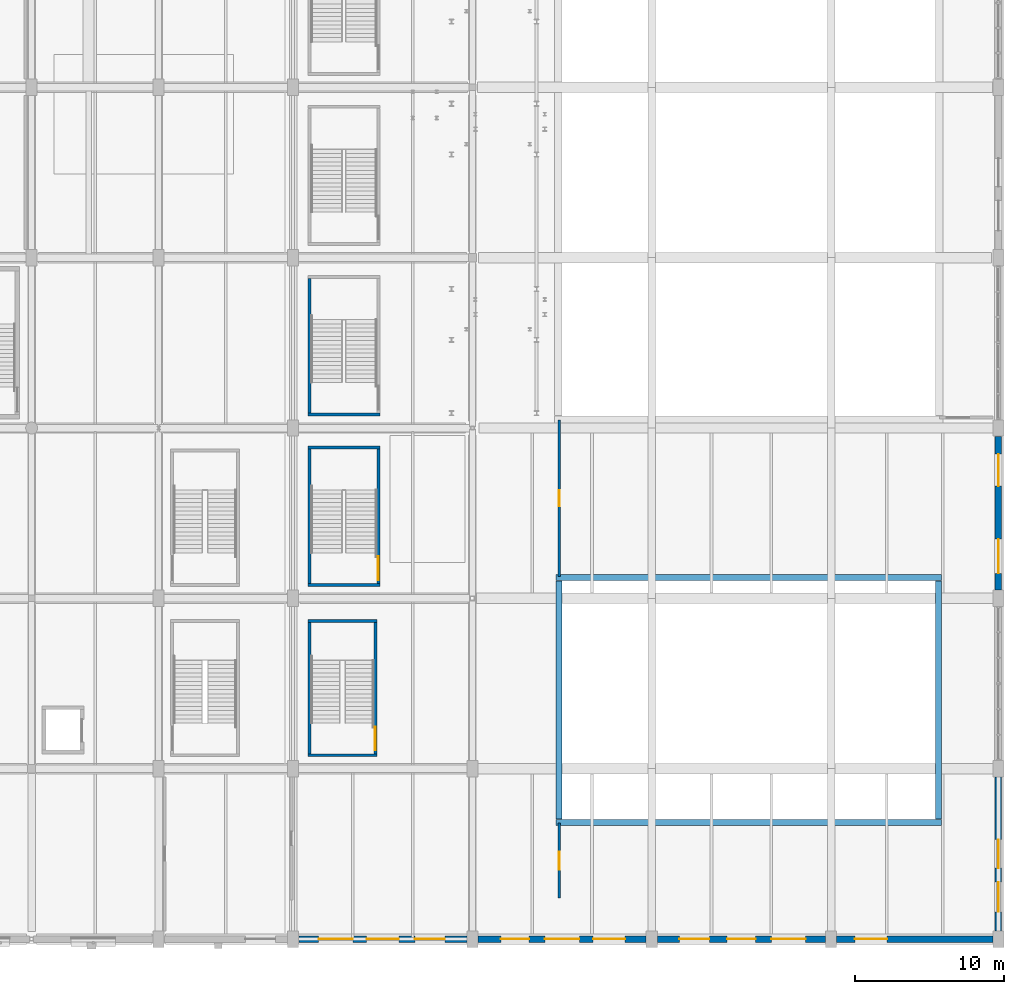
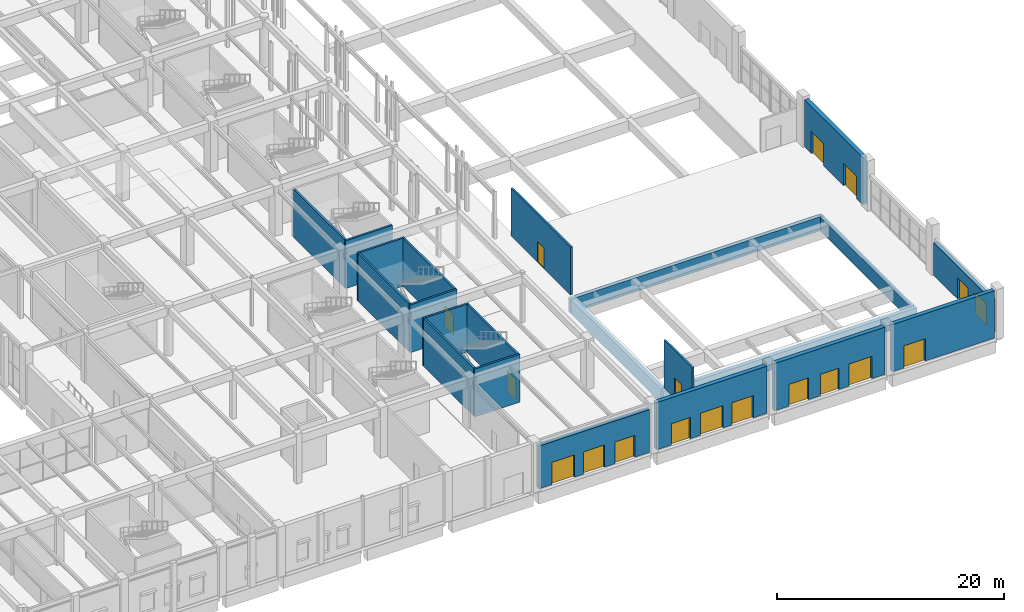
# One storey, part 91 of 113: 22 walls, 18 doors, 18 openings.
"""IFC4 building model written with IfcOpenShell, lengths in metres."""

import ifcopenshell
import ifcopenshell.guid

model = None  # the IFC model being written
_history = None  # IfcOwnerHistory: only IFC2X3 demands one
_inside = {}  # id of a spatial element -> (the spatial element, [elements in it])
_under = {}  # id of a project, library or spatial element -> (it, [spatial elements below it])
_declared = {}  # id of a project -> (the project, [libraries it declares])
_typed = {}  # id of a type object -> (the type object, [elements of that type])
_made_of = {}  # id of a material, layer set ... -> (it, [elements and type objects made of it])


def new_model(schema):
    """Start an empty IFC model of exactly this schema.

    Asked for "IFC4X3", IfcOpenShell would pick the latest addendum, in which some entities
    have other attributes; the version numbers below select the first issue.
    IFC2X3 requires an IfcOwnerHistory on every rooted entity: one is made here for all.
    """
    global model, _history
    if schema == "IFC4X3":
        model = ifcopenshell.file(schema_version=(4, 3, 0, 0))
    else:
        model = ifcopenshell.file(schema=schema)
    _inside.clear()
    _under.clear()
    _declared.clear()
    _typed.clear()
    _made_of.clear()
    _history = None
    if model.schema == "IFC2X3":
        org = make("IfcOrganization", Name="unknown")
        user = make(
            "IfcPersonAndOrganization",
            ThePerson=make("IfcPerson", FamilyName="unknown"),
            TheOrganization=org,
        )
        app = make(
            "IfcApplication",
            ApplicationDeveloper=org,
            Version="unknown",
            ApplicationFullName="unknown",
            ApplicationIdentifier="unknown",
        )
        _history = make(
            "IfcOwnerHistory",
            OwningUser=user,
            OwningApplication=app,
            ChangeAction="ADDED",
            CreationDate=0,
        )
    return model


def make(cls, **values):
    """One entity of the class cls with the attributes given. An attribute that is None is left unset."""
    return model.create_entity(
        cls, **{name: value for name, value in values.items() if value is not None}
    )


def rooted(cls, **values):
    """An entity with a GlobalId (a new one), such as an element, a storey or a relation."""
    return make(cls, GlobalId=ifcopenshell.guid.new(), OwnerHistory=_history, **values)


def si_unit(unit_type, name, prefix=None):
    """IfcSIUnit, for example si_unit("LENGTHUNIT", "METRE", prefix="MILLI")."""
    return make("IfcSIUnit", UnitType=unit_type, Prefix=prefix, Name=name)


def assignment(units):
    """IfcUnitAssignment: the units of a project."""
    return None if units is None else make("IfcUnitAssignment", Units=units)


def point(xyz):
    """IfcCartesianPoint."""
    return None if xyz is None else make("IfcCartesianPoint", Coordinates=xyz)


def direction(xyz):
    """IfcDirection."""
    return None if xyz is None else make("IfcDirection", DirectionRatios=xyz)


def frame(location, z_axis=None, x_axis=None):
    """IfcAxis2Placement3D, a coordinate frame: its origin and axes. An axis left out is left unset."""
    return make(
        "IfcAxis2Placement3D",
        Location=point(location),
        Axis=direction(z_axis),
        RefDirection=direction(x_axis),
    )


def frame_2d(location, x_axis=None):
    """IfcAxis2Placement2D, a coordinate frame in the plane: its origin and x axis."""
    return make(
        "IfcAxis2Placement2D", Location=point(location), RefDirection=direction(x_axis)
    )


def origin():
    """The frame at (0, 0, 0) with its axes left unset."""
    return frame((0.0, 0.0, 0.0))


def place(relative_to, where):
    """IfcLocalPlacement: puts the frame where relative to a parent placement (None: the world)."""
    return make(
        "IfcLocalPlacement", PlacementRelTo=relative_to, RelativePlacement=where
    )


def context(
    kind, dimensions, precision=None, world=None, true_north=None, identifier=None
):
    """IfcGeometricRepresentationContext, for example the 3D "Model" context."""
    return make(
        "IfcGeometricRepresentationContext",
        ContextIdentifier=identifier,
        ContextType=kind,
        CoordinateSpaceDimension=dimensions,
        Precision=precision,
        WorldCoordinateSystem=world,
        TrueNorth=true_north,
    )


def subcontext(parent, identifier, kind, view, scale=None):
    """IfcGeometricRepresentationSubContext, for example "Body" below "Model"."""
    return make(
        "IfcGeometricRepresentationSubContext",
        ContextIdentifier=identifier,
        ContextType=kind,
        ParentContext=parent,
        TargetScale=scale,
        TargetView=view,
    )


def project(units=None, contexts=None):
    """IfcProject with its units and contexts."""
    return rooted(
        "IfcProject",
        Name="project",
        RepresentationContexts=contexts,
        UnitsInContext=assignment(units),
    )


def spatial(cls, under=None, at=None, **own):
    """A site, building, storey or space (cls), placed at a placement, below another one or the project."""
    s = rooted(cls, ObjectPlacement=at, **own)
    if under is not None:
        _under.setdefault(under.id(), (under, []))[1].append(s)
    return s


def profile(cls, at=None, kind="AREA", **sizes):
    """A parametric profile (cls). Its sizes go by their IFC names, for example OverallWidth=200.0."""
    return make(cls, ProfileType=kind, Position=at, **sizes)


def rectangle(**sizes):
    """IfcRectangleProfileDef."""
    return profile("IfcRectangleProfileDef", **sizes)


def extrude(swept, where, along, depth):
    """IfcExtrudedAreaSolid: the profile swept, set in the frame where, extruded along a direction by depth."""
    return make(
        "IfcExtrudedAreaSolid",
        SweptArea=swept,
        Position=where,
        ExtrudedDirection=direction(along),
        Depth=depth,
    )


def shape(context_of_items, identifier, shape_type, items):
    """IfcShapeRepresentation: the items that make up one representation, for example the "Body"."""
    return make(
        "IfcShapeRepresentation",
        ContextOfItems=context_of_items,
        RepresentationIdentifier=identifier,
        RepresentationType=shape_type,
        Items=items,
    )


def material(Name=None, Category=None):
    """IfcMaterial."""
    return make("IfcMaterial", Name=Name, Category=Category)


def layer(
    of_material, thickness, ventilated=None, Name=None, Category=None, Priority=None
):
    """IfcMaterialLayer: one layer of a wall or slab, of a material (None: an air gap)."""
    return make(
        "IfcMaterialLayer",
        Material=of_material,
        LayerThickness=thickness,
        IsVentilated=ventilated,
        Name=Name,
        Category=Category,
        Priority=Priority,
    )


def layer_set(layers, Name=None):
    """IfcMaterialLayerSet."""
    return make("IfcMaterialLayerSet", MaterialLayers=layers, LayerSetName=Name)


def made_of(thing, what):
    """Note that an element or type object is made of a material, layer set ...; save() writes the relation."""
    if what is not None:
        _made_of.setdefault(what.id(), (what, []))[1].append(thing)
    return thing


def type_object(cls, material=None, **own):
    """A type object (cls), such as IfcWallType, which elements share."""
    return made_of(rooted(cls, **own), material)


def element(
    cls,
    number,
    at=None,
    inside=None,
    cuts=None,
    type_object=None,
    material=None,
    context=None,
    identifier="Body",
    shape_type=None,
    held_by="IfcProductDefinitionShape",
    body=None,
    shapes=None,
    **own,
):
    """One element of the class cls, such as IfcWall. Its Tag is "e" and its number.

    at: its placement. inside: the storey or other place that contains it. cuts: it is an
    opening in that element (IfcRelVoidsElement). A single representation is given by context,
    identifier, shape_type and body (its items); several are given by shapes. held_by: the class
    of the entity that holds the representations. save() writes the other relations.
    """
    e = rooted(cls, Tag="e%d" % number, ObjectPlacement=at, **own)
    if body is not None:
        shapes = [shape(context, identifier, shape_type, body)]
    if shapes is not None:
        e.Representation = make(held_by, Representations=shapes)
    if inside is not None:
        _inside.setdefault(inside.id(), (inside, []))[1].append(e)
    if cuts is not None:
        rooted(
            "IfcRelVoidsElement", RelatingBuildingElement=cuts, RelatedOpeningElement=e
        )
    if type_object is not None:
        _typed.setdefault(type_object.id(), (type_object, []))[1].append(e)
    return made_of(e, material)


def fill(opening, filler):
    """IfcRelFillsElement: the door or window that sits in an opening."""
    return rooted(
        "IfcRelFillsElement",
        RelatingOpeningElement=opening,
        RelatedBuildingElement=filler,
    )


def aggregate(whole, parts):
    """IfcRelAggregates: a whole, such as a stair, and the parts it consists of."""
    return rooted("IfcRelAggregates", RelatingObject=whole, RelatedObjects=parts)


def save(model, path):
    """Write the relations noted so far, then the file.

    IfcRelAggregates (storeys below a building ...), IfcRelContainedInSpatialStructure (elements
    in a storey), IfcRelDefinesByType, IfcRelAssociatesMaterial and IfcRelDeclares: one each for
    every whole, place, type object, material and project.
    """
    for whole, parts in _under.values():
        aggregate(whole, parts)
    for where, things in _inside.values():
        rooted(
            "IfcRelContainedInSpatialStructure",
            RelatedElements=things,
            RelatingStructure=where,
        )
    for kind, things in _typed.values():
        rooted("IfcRelDefinesByType", RelatedObjects=things, RelatingType=kind)
    for what, things in _made_of.values():
        rooted("IfcRelAssociatesMaterial", RelatedObjects=things, RelatingMaterial=what)
    for by, libraries in _declared.values():
        rooted("IfcRelDeclares", RelatingContext=by, RelatedDefinitions=libraries)
    model.write(path)


model = new_model("IFC4")

# Units and contexts
model_context = context("Model", 3, precision=1e-05, world=origin(), true_north=direction((0.0, 1.0)))
body_context = subcontext(model_context, "Body", "Model", "MODEL_VIEW")
ifc_project = project(units=[si_unit("LENGTHUNIT", "METRE"), si_unit("AREAUNIT", "SQUARE_METRE"), si_unit("VOLUMEUNIT", "CUBIC_METRE"), si_unit("PLANEANGLEUNIT", "RADIAN"), si_unit("MASSUNIT", "GRAM", prefix="KILO"), si_unit("POWERUNIT", "WATT"), si_unit("THERMODYNAMICTEMPERATUREUNIT", "KELVIN")], contexts=[model_context])

# Site, building, storey
site_placement = place(None, origin())
site = spatial("IfcSite", under=ifc_project, at=site_placement, CompositionType="ELEMENT")
building_placement = place(site_placement, origin())
building = spatial("IfcBuilding", under=site, at=building_placement, Name="Kelmbourne Parkland Aquatics Centre", CompositionType="ELEMENT")
storey_placement = place(building_placement, origin())
storey = spatial("IfcBuildingStorey", under=building, at=storey_placement, Name="L00", CompositionType="ELEMENT", Elevation=0.0)

# Wall, openings, doors
ifc_material_1 = material(Name="Dark manganite base-course brickwork", Category="masonry")
ifc_layer_1 = layer(ifc_material_1, 0.429931640625)
ifc_layer_set_1 = layer_set([ifc_layer_1], Name="Dark manganite base-course brickwork")
wall_type_1 = type_object("IfcWallType", Name="W-EXT-430", PredefinedType="STANDARD", material=ifc_layer_set_1)
wall_1_placement = place(storey_placement, frame((128.376953125, 0.800048828125, 0.0), z_axis=(0.0, 0.0, 1.0), x_axis=(1.0, 0.0, 0.0)))
wall_1 = element("IfcWall", 1, at=wall_1_placement, inside=storey, type_object=wall_type_1, Name="Exterior polychrome brick wall EW-L00-042", PredefinedType="STANDARD", context=body_context, shape_type="SweptSolid", body=[
    extrude(rectangle(XDim=11.24609375, YDim=0.429931640625, at=frame_2d((5.623046875, 0.0))), origin(), (0.0, 0.0, 1.0), 4.612060546875),
])
opening_1_placement = place(wall_1_placement, frame((1.32421875, 0.0, 0.0)))
opening_1 = element("IfcOpeningElement", 2, at=opening_1_placement, cuts=wall_1, Name="Opening E21", PredefinedType="OPENING", context=body_context, shape_type="SweptSolid", body=[
    extrude(rectangle(XDim=2.300048828125, YDim=2.39990234375, at=frame_2d((1.14990234375, 1.199951171875))), frame((0.0, 0.22705078125, 0.0), z_axis=(0.0, -1.0, 0.0), x_axis=(1.0, 0.0, 0.0)), (0.0, 0.0, 1.0), 0.453857421875),
])
opening_2_placement = place(wall_1_placement, frame((4.548095703125, 0.0, 0.0)))
opening_2 = element("IfcOpeningElement", 3, at=opening_2_placement, cuts=wall_1, Name="Opening E22", PredefinedType="OPENING", context=body_context, shape_type="SweptSolid", body=[
    extrude(rectangle(XDim=2.14990234375, YDim=2.39990234375, at=frame_2d((1.074951171875, 1.199951171875))), frame((0.0, 0.22705078125, 0.0), z_axis=(0.0, -1.0, 0.0), x_axis=(1.0, 0.0, 0.0)), (0.0, 0.0, 1.0), 0.453857421875),
])
opening_3_placement = place(wall_1_placement, frame((7.77197265625, 0.0, 0.0)))
opening_3 = element("IfcOpeningElement", 4, at=opening_3_placement, cuts=wall_1, Name="Opening E23", PredefinedType="OPENING", context=body_context, shape_type="SweptSolid", body=[
    extrude(rectangle(XDim=2.0, YDim=2.35009765625, at=frame_2d((1.0, 1.175048828125))), frame((0.0, 0.22705078125, 0.0), z_axis=(0.0, -1.0, 0.0), x_axis=(1.0, 0.0, 0.0)), (0.0, 0.0, 1.0), 0.453857421875),
])
ifc_material_2 = material(Name="Thermally broken anodised aluminium commercial door", Category="aluminium")
ifc_layer_2 = layer(ifc_material_2, 0.06005859375)
ifc_layer_set_2 = layer_set([ifc_layer_2], Name="Thermally broken anodised aluminium commercial door")
door_type_1 = type_object("IfcDoorType", Name="DR-EXT-200", OperationType="NOTDEFINED", PredefinedType="DOOR", material=ifc_layer_set_2)
door_1_placement = place(opening_3_placement, frame((2.0, 0.0, 0.0), z_axis=(0.0, 0.0, 1.0), x_axis=(-1.0, 0.0, 0.0)))
door_1 = element("IfcDoor", 5, at=door_1_placement, inside=storey, type_object=door_type_1, Name="Final exit double door E23", OperationType="DOUBLE_DOOR_SINGLE_SWING", OverallHeight=2.35009765625, OverallWidth=2.0, PredefinedType="DOOR", context=body_context, shape_type="SweptSolid", body=[
    extrude(rectangle(XDim=2.0, YDim=2.35009765625, at=frame_2d((1.0, 1.175048828125))), frame((0.0, 0.02490234375, 0.0), z_axis=(0.0, -1.0, 0.0), x_axis=(1.0, 0.0, 0.0)), (0.0, 0.0, 1.0), 0.050048828125),
])
fill(opening_3, door_1)
ifc_layer_3 = layer(ifc_material_2, 0.06005859375)
ifc_layer_set_3 = layer_set([ifc_layer_3], Name="Thermally broken anodised aluminium commercial door")
door_type_2 = type_object("IfcDoorType", Name="DR-EXT-215", OperationType="NOTDEFINED", PredefinedType="DOOR", material=ifc_layer_set_3)
door_2_placement = place(opening_2_placement, frame((2.14990234375, 0.0, 0.0), z_axis=(0.0, 0.0, 1.0), x_axis=(-1.0, 0.0, 0.0)))
door_2 = element("IfcDoor", 6, at=door_2_placement, inside=storey, type_object=door_type_2, Name="Final exit double door E22", OperationType="DOUBLE_DOOR_SINGLE_SWING", OverallHeight=2.39990234375, OverallWidth=2.14990234375, PredefinedType="DOOR", context=body_context, shape_type="SweptSolid", body=[
    extrude(rectangle(XDim=2.14990234375, YDim=2.39990234375, at=frame_2d((1.074951171875, 1.199951171875))), frame((0.0, 0.02490234375, 0.0), z_axis=(0.0, -1.0, 0.0), x_axis=(1.0, 0.0, 0.0)), (0.0, 0.0, 1.0), 0.050048828125),
])
fill(opening_2, door_2)
ifc_layer_4 = layer(ifc_material_2, 0.06005859375)
ifc_layer_set_4 = layer_set([ifc_layer_4], Name="Thermally broken anodised aluminium commercial door")
door_type_3 = type_object("IfcDoorType", Name="DR-EXT-230", OperationType="NOTDEFINED", PredefinedType="DOOR", material=ifc_layer_set_4)
door_3_placement = place(opening_1_placement, frame((2.300048828125, 0.0, 0.0), z_axis=(0.0, 0.0, 1.0), x_axis=(-1.0, 0.0, 0.0)))
door_3 = element("IfcDoor", 7, at=door_3_placement, inside=storey, type_object=door_type_3, Name="Final exit double door E21", OperationType="DOUBLE_DOOR_SINGLE_SWING", OverallHeight=2.39990234375, OverallWidth=2.300048828125, PredefinedType="DOOR", context=body_context, shape_type="SweptSolid", body=[
    extrude(rectangle(XDim=2.300048828125, YDim=2.39990234375, at=frame_2d((1.14990234375, 1.199951171875))), frame((0.0, 0.02490234375, 0.0), z_axis=(0.0, -1.0, 0.0), x_axis=(1.0, 0.0, 0.0)), (0.0, 0.0, 1.0), 0.050048828125),
])
fill(opening_1, door_3)

wall_2_placement = place(storey_placement, frame((140.376953125, 0.800048828125, 0.0), z_axis=(0.0, 0.0, 1.0), x_axis=(1.0, 0.0, 0.0)))
wall_2 = element("IfcWall", 8, at=wall_2_placement, inside=storey, type_object=wall_type_1, Name="Exterior polychrome brick wall EW-L00-043", PredefinedType="STANDARD", context=body_context, shape_type="SweptSolid", body=[
    extrude(rectangle(XDim=11.24609375, YDim=0.429931640625, at=frame_2d((5.623046875, 0.0))), origin(), (0.0, 0.0, 1.0), 5.10009765625),
])
opening_4_placement = place(wall_2_placement, frame((1.524169921875, 0.0, 0.0)))
opening_4 = element("IfcOpeningElement", 9, at=opening_4_placement, cuts=wall_2, Name="Opening E24", PredefinedType="OPENING", context=body_context, shape_type="SweptSolid", body=[
    extrude(rectangle(XDim=1.89990234375, YDim=2.300048828125, at=frame_2d((0.949951171875, 1.14990234375))), frame((0.0, 0.22705078125, 0.0), z_axis=(0.0, -1.0, 0.0), x_axis=(1.0, 0.0, 0.0)), (0.0, 0.0, 1.0), 0.453857421875),
])
opening_5_placement = place(wall_2_placement, frame((4.472900390625, 0.0, 0.0)))
opening_5 = element("IfcOpeningElement", 10, at=opening_5_placement, cuts=wall_2, Name="Opening E25", PredefinedType="OPENING", context=body_context, shape_type="SweptSolid", body=[
    extrude(rectangle(XDim=2.300048828125, YDim=2.39990234375, at=frame_2d((1.14990234375, 1.199951171875))), frame((0.0, 0.22705078125, 0.0), z_axis=(0.0, -1.0, 0.0), x_axis=(1.0, 0.0, 0.0)), (0.0, 0.0, 1.0), 0.453857421875),
])
opening_6_placement = place(wall_2_placement, frame((7.697021484375, 0.0, 0.0)))
opening_6 = element("IfcOpeningElement", 11, at=opening_6_placement, cuts=wall_2, Name="Opening E26", PredefinedType="OPENING", context=body_context, shape_type="SweptSolid", body=[
    extrude(rectangle(XDim=2.14990234375, YDim=2.39990234375, at=frame_2d((1.074951171875, 1.199951171875))), frame((0.0, 0.22705078125, 0.0), z_axis=(0.0, -1.0, 0.0), x_axis=(1.0, 0.0, 0.0)), (0.0, 0.0, 1.0), 0.453857421875),
])
ifc_layer_5 = layer(ifc_material_2, 0.06005859375)
ifc_layer_set_5 = layer_set([ifc_layer_5], Name="Thermally broken anodised aluminium commercial door")
door_type_4 = type_object("IfcDoorType", Name="DR-EXT-190", OperationType="NOTDEFINED", PredefinedType="DOOR", material=ifc_layer_set_5)
door_4_placement = place(opening_4_placement, frame((1.89990234375, 0.0, 0.0), z_axis=(0.0, 0.0, 1.0), x_axis=(-1.0, 0.0, 0.0)))
door_4 = element("IfcDoor", 12, at=door_4_placement, inside=storey, type_object=door_type_4, Name="Final exit double door E24", OperationType="DOUBLE_DOOR_SINGLE_SWING", OverallHeight=2.300048828125, OverallWidth=1.89990234375, PredefinedType="DOOR", context=body_context, shape_type="SweptSolid", body=[
    extrude(rectangle(XDim=1.89990234375, YDim=2.300048828125, at=frame_2d((0.949951171875, 1.14990234375))), frame((0.0, 0.02490234375, 0.0), z_axis=(0.0, -1.0, 0.0), x_axis=(1.0, 0.0, 0.0)), (0.0, 0.0, 1.0), 0.050048828125),
])
fill(opening_4, door_4)
door_5_placement = place(opening_6_placement, frame((2.14990234375, 0.0, 0.0), z_axis=(0.0, 0.0, 1.0), x_axis=(-1.0, 0.0, 0.0)))
door_5 = element("IfcDoor", 13, at=door_5_placement, inside=storey, type_object=door_type_2, Name="Final exit double door E26", OperationType="DOUBLE_DOOR_SINGLE_SWING", OverallHeight=2.39990234375, OverallWidth=2.14990234375, PredefinedType="DOOR", context=body_context, shape_type="SweptSolid", body=[
    extrude(rectangle(XDim=2.14990234375, YDim=2.39990234375, at=frame_2d((1.074951171875, 1.199951171875))), frame((0.0, 0.02490234375, 0.0), z_axis=(0.0, -1.0, 0.0), x_axis=(1.0, 0.0, 0.0)), (0.0, 0.0, 1.0), 0.050048828125),
])
fill(opening_6, door_5)
door_6_placement = place(opening_5_placement, frame((2.300048828125, 0.0, 0.0), z_axis=(0.0, 0.0, 1.0), x_axis=(-1.0, 0.0, 0.0)))
door_6 = element("IfcDoor", 14, at=door_6_placement, inside=storey, type_object=door_type_3, Name="Final exit double door E25", OperationType="DOUBLE_DOOR_SINGLE_SWING", OverallHeight=2.39990234375, OverallWidth=2.300048828125, PredefinedType="DOOR", context=body_context, shape_type="SweptSolid", body=[
    extrude(rectangle(XDim=2.300048828125, YDim=2.39990234375, at=frame_2d((1.14990234375, 1.199951171875))), frame((0.0, 0.02490234375, 0.0), z_axis=(0.0, -1.0, 0.0), x_axis=(1.0, 0.0, 0.0)), (0.0, 0.0, 1.0), 0.050048828125),
])
fill(opening_5, door_6)

wall_3_placement = place(storey_placement, frame((152.376953125, 0.800048828125, 0.0), z_axis=(0.0, 0.0, 1.0), x_axis=(1.0, 0.0, 0.0)))
wall_3 = element("IfcWall", 15, at=wall_3_placement, inside=storey, type_object=wall_type_1, Name="Exterior polychrome brick wall EW-L00-044", PredefinedType="STANDARD", context=body_context, shape_type="SweptSolid", body=[
    extrude(rectangle(XDim=11.24609375, YDim=0.429931640625, at=frame_2d((5.623046875, 0.0))), origin(), (0.0, 0.0, 1.0), 5.10009765625),
])
opening_7_placement = place(wall_3_placement, frame((1.47412109375, 0.0, 0.0)))
opening_7 = element("IfcOpeningElement", 16, at=opening_7_placement, cuts=wall_3, Name="Opening E27", PredefinedType="OPENING", context=body_context, shape_type="SweptSolid", body=[
    extrude(rectangle(XDim=2.0, YDim=2.35009765625, at=frame_2d((1.0, 1.175048828125))), frame((0.0, 0.22705078125, 0.0), z_axis=(0.0, -1.0, 0.0), x_axis=(1.0, 0.0, 0.0)), (0.0, 0.0, 1.0), 0.453857421875),
])
opening_8_placement = place(wall_3_placement, frame((4.673095703125, 0.0, 0.0)))
opening_8 = element("IfcOpeningElement", 17, at=opening_8_placement, cuts=wall_3, Name="Opening E28", PredefinedType="OPENING", context=body_context, shape_type="SweptSolid", body=[
    extrude(rectangle(XDim=1.89990234375, YDim=2.300048828125, at=frame_2d((0.949951171875, 1.14990234375))), frame((0.0, 0.22705078125, 0.0), z_axis=(0.0, -1.0, 0.0), x_axis=(1.0, 0.0, 0.0)), (0.0, 0.0, 1.0), 0.453857421875),
])
opening_9_placement = place(wall_3_placement, frame((7.621826171875, 0.0, 0.0)))
opening_9 = element("IfcOpeningElement", 18, at=opening_9_placement, cuts=wall_3, Name="Opening E29", PredefinedType="OPENING", context=body_context, shape_type="SweptSolid", body=[
    extrude(rectangle(XDim=2.300048828125, YDim=2.39990234375, at=frame_2d((1.14990234375, 1.199951171875))), frame((0.0, 0.22705078125, 0.0), z_axis=(0.0, -1.0, 0.0), x_axis=(1.0, 0.0, 0.0)), (0.0, 0.0, 1.0), 0.453857421875),
])
door_7_placement = place(opening_8_placement, frame((1.89990234375, 0.0, 0.0), z_axis=(0.0, 0.0, 1.0), x_axis=(-1.0, 0.0, 0.0)))
door_7 = element("IfcDoor", 19, at=door_7_placement, inside=storey, type_object=door_type_4, Name="Final exit double door E28", OperationType="DOUBLE_DOOR_SINGLE_SWING", OverallHeight=2.300048828125, OverallWidth=1.89990234375, PredefinedType="DOOR", context=body_context, shape_type="SweptSolid", body=[
    extrude(rectangle(XDim=1.89990234375, YDim=2.300048828125, at=frame_2d((0.949951171875, 1.14990234375))), frame((0.0, 0.02490234375, 0.0), z_axis=(0.0, -1.0, 0.0), x_axis=(1.0, 0.0, 0.0)), (0.0, 0.0, 1.0), 0.050048828125),
])
fill(opening_8, door_7)
door_8_placement = place(opening_7_placement, frame((2.0, 0.0, 0.0), z_axis=(0.0, 0.0, 1.0), x_axis=(-1.0, 0.0, 0.0)))
door_8 = element("IfcDoor", 20, at=door_8_placement, inside=storey, type_object=door_type_1, Name="Final exit double door E27", OperationType="DOUBLE_DOOR_SINGLE_SWING", OverallHeight=2.35009765625, OverallWidth=2.0, PredefinedType="DOOR", context=body_context, shape_type="SweptSolid", body=[
    extrude(rectangle(XDim=2.0, YDim=2.35009765625, at=frame_2d((1.0, 1.175048828125))), frame((0.0, 0.02490234375, 0.0), z_axis=(0.0, -1.0, 0.0), x_axis=(1.0, 0.0, 0.0)), (0.0, 0.0, 1.0), 0.050048828125),
])
fill(opening_7, door_8)
door_9_placement = place(opening_9_placement, frame((2.300048828125, 0.0, 0.0), z_axis=(0.0, 0.0, 1.0), x_axis=(-1.0, 0.0, 0.0)))
door_9 = element("IfcDoor", 21, at=door_9_placement, inside=storey, type_object=door_type_3, Name="Final exit double door E29", OperationType="DOUBLE_DOOR_SINGLE_SWING", OverallHeight=2.39990234375, OverallWidth=2.300048828125, PredefinedType="DOOR", context=body_context, shape_type="SweptSolid", body=[
    extrude(rectangle(XDim=2.300048828125, YDim=2.39990234375, at=frame_2d((1.14990234375, 1.199951171875))), frame((0.0, 0.02490234375, 0.0), z_axis=(0.0, -1.0, 0.0), x_axis=(1.0, 0.0, 0.0)), (0.0, 0.0, 1.0), 0.050048828125),
])
fill(opening_9, door_9)

# Wall, opening, door
wall_4_placement = place(storey_placement, frame((164.376953125, 0.800048828125, 0.0), z_axis=(0.0, 0.0, 1.0), x_axis=(1.0, 0.0, 0.0)))
wall_4 = element("IfcWall", 22, at=wall_4_placement, inside=storey, type_object=wall_type_1, Name="Exterior polychrome brick wall EW-L00-045", PredefinedType="STANDARD", context=body_context, shape_type="SweptSolid", body=[
    extrude(rectangle(XDim=10.446044921875, YDim=0.429931640625, at=frame_2d((5.22314453125, 0.0))), origin(), (0.0, 0.0, 1.0), 5.10009765625),
])
opening_10_placement = place(wall_4_placement, frame((1.22314453125, 0.0, 0.0)))
opening_10 = element("IfcOpeningElement", 23, at=opening_10_placement, cuts=wall_4, Name="Opening E30", PredefinedType="OPENING", context=body_context, shape_type="SweptSolid", body=[
    extrude(rectangle(XDim=2.14990234375, YDim=2.39990234375, at=frame_2d((1.074951171875, 1.199951171875))), frame((0.0, 0.22705078125, 0.0), z_axis=(0.0, -1.0, 0.0), x_axis=(1.0, 0.0, 0.0)), (0.0, 0.0, 1.0), 0.453857421875),
])
door_10_placement = place(opening_10_placement, frame((2.14990234375, 0.0, 0.0), z_axis=(0.0, 0.0, 1.0), x_axis=(-1.0, 0.0, 0.0)))
door_10 = element("IfcDoor", 24, at=door_10_placement, inside=storey, type_object=door_type_2, Name="Final exit double door E30", OperationType="DOUBLE_DOOR_SINGLE_SWING", OverallHeight=2.39990234375, OverallWidth=2.14990234375, PredefinedType="DOOR", context=body_context, shape_type="SweptSolid", body=[
    extrude(rectangle(XDim=2.14990234375, YDim=2.39990234375, at=frame_2d((1.074951171875, 1.199951171875))), frame((0.0, 0.02490234375, 0.0), z_axis=(0.0, -1.0, 0.0), x_axis=(1.0, 0.0, 0.0)), (0.0, 0.0, 1.0), 0.050048828125),
])
fill(opening_10, door_10)

# Wall, openings, doors
wall_5_placement = place(storey_placement, frame((175.199951171875, 1.35205078125, 0.0), z_axis=(0.0, 0.0, 1.0), x_axis=(0.0, 1.0, 0.0)))
wall_5 = element("IfcWall", 25, at=wall_5_placement, inside=storey, type_object=wall_type_1, Name="Exterior polychrome brick wall EW-L00-046", PredefinedType="STANDARD", context=body_context, shape_type="SweptSolid", body=[
    extrude(rectangle(XDim=10.2958984375, YDim=0.429931640625, at=frame_2d((5.14794921875, 0.0))), origin(), (0.0, 0.0, 1.0), 3.510009765625),
])
opening_11_placement = place(wall_5_placement, frame((1.26513671875, 0.0, 0.0)))
opening_11 = element("IfcOpeningElement", 26, at=opening_11_placement, cuts=wall_5, Name="Opening E31", PredefinedType="OPENING", context=body_context, shape_type="SweptSolid", body=[
    extrude(rectangle(XDim=2.0, YDim=2.35009765625, at=frame_2d((1.0, 1.175048828125))), frame((0.0, 0.22705078125, 0.0), z_axis=(0.0, -1.0, 0.0), x_axis=(1.0, 0.0, 0.0)), (0.0, 0.0, 1.0), 0.453857421875),
])
opening_12_placement = place(wall_5_placement, frame((4.197998046875, 0.0, 0.0)))
opening_12 = element("IfcOpeningElement", 27, at=opening_12_placement, cuts=wall_5, Name="Opening E32", PredefinedType="OPENING", context=body_context, shape_type="SweptSolid", body=[
    extrude(rectangle(XDim=1.89990234375, YDim=2.300048828125, at=frame_2d((0.949951171875, 1.14990234375))), frame((0.0, 0.22705078125, 0.0), z_axis=(0.0, -1.0, 0.0), x_axis=(1.0, 0.0, 0.0)), (0.0, 0.0, 1.0), 0.453857421875),
])
door_11_placement = place(opening_12_placement, frame((1.89990234375, 0.0, 0.0), z_axis=(0.0, 0.0, 1.0), x_axis=(-1.0, 0.0, 0.0)))
door_11 = element("IfcDoor", 28, at=door_11_placement, inside=storey, type_object=door_type_4, Name="Final exit double door E32", OperationType="DOUBLE_DOOR_SINGLE_SWING", OverallHeight=2.300048828125, OverallWidth=1.89990234375, PredefinedType="DOOR", context=body_context, shape_type="SweptSolid", body=[
    extrude(rectangle(XDim=1.89990234375, YDim=2.300048828125, at=frame_2d((0.949951171875, 1.14990234375))), frame((0.0, 0.02490234375, 0.0), z_axis=(0.0, -1.0, 0.0), x_axis=(1.0, 0.0, 0.0)), (0.0, 0.0, 1.0), 0.050048828125),
])
fill(opening_12, door_11)
door_12_placement = place(opening_11_placement, frame((2.0, 0.0, 0.0), z_axis=(0.0, 0.0, 1.0), x_axis=(-1.0, 0.0, 0.0)))
door_12 = element("IfcDoor", 29, at=door_12_placement, inside=storey, type_object=door_type_1, Name="Final exit double door E31", OperationType="DOUBLE_DOOR_SINGLE_SWING", OverallHeight=2.35009765625, OverallWidth=2.0, PredefinedType="DOOR", context=body_context, shape_type="SweptSolid", body=[
    extrude(rectangle(XDim=2.0, YDim=2.35009765625, at=frame_2d((1.0, 1.175048828125))), frame((0.0, 0.02490234375, 0.0), z_axis=(0.0, -1.0, 0.0), x_axis=(1.0, 0.0, 0.0)), (0.0, 0.0, 1.0), 0.050048828125),
])
fill(opening_11, door_12)

wall_6_placement = place(storey_placement, frame((175.199951171875, 24.152099609375, 0.0), z_axis=(0.0, 0.0, 1.0), x_axis=(0.0, 1.0, 0.0)))
wall_6 = element("IfcWall", 30, at=wall_6_placement, inside=storey, type_object=wall_type_1, Name="Exterior polychrome brick wall EW-L00-047", PredefinedType="STANDARD", context=body_context, shape_type="SweptSolid", body=[
    extrude(rectangle(XDim=10.2958984375, YDim=0.429931640625, at=frame_2d((5.14794921875, 0.0))), origin(), (0.0, 0.0, 1.0), 5.10009765625),
])
opening_13_placement = place(wall_6_placement, frame((1.114990234375, 0.0, 0.0)))
opening_13 = element("IfcOpeningElement", 31, at=opening_13_placement, cuts=wall_6, Name="Opening E33", PredefinedType="OPENING", context=body_context, shape_type="SweptSolid", body=[
    extrude(rectangle(XDim=2.300048828125, YDim=2.39990234375, at=frame_2d((1.14990234375, 1.199951171875))), frame((0.0, 0.22705078125, 0.0), z_axis=(0.0, -1.0, 0.0), x_axis=(1.0, 0.0, 0.0)), (0.0, 0.0, 1.0), 0.453857421875),
])
opening_14_placement = place(wall_6_placement, frame((6.955810546875, 0.0, 0.0)))
opening_14 = element("IfcOpeningElement", 32, at=opening_14_placement, cuts=wall_6, Name="Opening E34", PredefinedType="OPENING", context=body_context, shape_type="SweptSolid", body=[
    extrude(rectangle(XDim=2.14990234375, YDim=2.39990234375, at=frame_2d((1.074951171875, 1.199951171875))), frame((0.0, 0.22705078125, 0.0), z_axis=(0.0, -1.0, 0.0), x_axis=(1.0, 0.0, 0.0)), (0.0, 0.0, 1.0), 0.453857421875),
])
door_13_placement = place(opening_14_placement, frame((2.14990234375, 0.0, 0.0), z_axis=(0.0, 0.0, 1.0), x_axis=(-1.0, 0.0, 0.0)))
door_13 = element("IfcDoor", 33, at=door_13_placement, inside=storey, type_object=door_type_2, Name="Final exit double door E34", OperationType="DOUBLE_DOOR_SINGLE_SWING", OverallHeight=2.39990234375, OverallWidth=2.14990234375, PredefinedType="DOOR", context=body_context, shape_type="SweptSolid", body=[
    extrude(rectangle(XDim=2.14990234375, YDim=2.39990234375, at=frame_2d((1.074951171875, 1.199951171875))), frame((0.0, 0.02490234375, 0.0), z_axis=(0.0, -1.0, 0.0), x_axis=(1.0, 0.0, 0.0)), (0.0, 0.0, 1.0), 0.050048828125),
])
fill(opening_14, door_13)
door_14_placement = place(opening_13_placement, frame((2.300048828125, 0.0, 0.0), z_axis=(0.0, 0.0, 1.0), x_axis=(-1.0, 0.0, 0.0)))
door_14 = element("IfcDoor", 34, at=door_14_placement, inside=storey, type_object=door_type_3, Name="Final exit double door E33", OperationType="DOUBLE_DOOR_SINGLE_SWING", OverallHeight=2.39990234375, OverallWidth=2.300048828125, PredefinedType="DOOR", context=body_context, shape_type="SweptSolid", body=[
    extrude(rectangle(XDim=2.300048828125, YDim=2.39990234375, at=frame_2d((1.14990234375, 1.199951171875))), frame((0.0, 0.02490234375, 0.0), z_axis=(0.0, -1.0, 0.0), x_axis=(1.0, 0.0, 0.0)), (0.0, 0.0, 1.0), 0.050048828125),
])
fill(opening_13, door_14)

# Walls
ifc_material_3 = material(Name="Concrete blockwork C32/40", Category="masonry")
ifc_layer_6 = layer(ifc_material_3, 0.199951171875)
ifc_layer_set_6 = layer_set([ifc_layer_6], Name="Concrete blockwork C32/40")
wall_type_2 = type_object("IfcWallType", Name="W-FIRE-200", PredefinedType="SOLIDWALL", material=ifc_layer_set_6)
for number, where, z_axis, x_axis, name in (
    (35, (129.0, 13.10009765625, 0.0), (0.0, 0.0, 1.0), (1.0, 0.0, 0.0), "Main Bowl South Concourse Exit Stair south enclosure (L00)"),
    (36, (129.0, 22.10009765625, 0.0), (0.0, 0.0, 1.0), (1.0, 0.0, 0.0), "Main Bowl South Concourse Exit Stair north enclosure (L00)"),
):
    element("IfcWall", number, at=place(storey_placement, frame(where, z_axis=z_axis, x_axis=x_axis)), inside=storey, type_object=wall_type_2, Name=name, PredefinedType="SOLIDWALL", context=body_context, shape_type="SweptSolid", body=[
        extrude(rectangle(XDim=4.60009765625, YDim=0.199951171875, at=frame_2d((2.300048828125, 0.0))), origin(), (0.0, 0.0, 1.0), 5.159912109375),
    ])
wall_7_placement = place(storey_placement, frame((129.10009765625, 13.199951171875, 0.0), z_axis=(0.0, 0.0, 1.0), x_axis=(0.0, 1.0, 0.0)))
element("IfcWall", 37, at=wall_7_placement, inside=storey, type_object=wall_type_2, Name="Main Bowl South Concourse Exit Stair west enclosure (L00)", PredefinedType="SOLIDWALL", context=body_context, shape_type="SweptSolid", body=[
    extrude(rectangle(XDim=8.800048828125, YDim=0.199951171875, at=frame_2d((4.39990234375, 0.0))), origin(), (0.0, 0.0, 1.0), 5.159912109375),
])

# Wall, opening, door
wall_8_placement = place(storey_placement, frame((133.5, 13.199951171875, 0.0), z_axis=(0.0, 0.0, 1.0), x_axis=(0.0, 1.0, 0.0)))
wall_8 = element("IfcWall", 38, at=wall_8_placement, inside=storey, type_object=wall_type_2, Name="Main Bowl South Concourse Exit Stair east enclosure (L00)", PredefinedType="SOLIDWALL", context=body_context, shape_type="SweptSolid", body=[
    extrude(rectangle(XDim=8.800048828125, YDim=0.199951171875, at=frame_2d((4.39990234375, 0.0))), origin(), (0.0, 0.0, 1.0), 5.159912109375),
])
opening_15_placement = place(wall_8_placement, frame((0.219970703125, 0.0, 0.0)))
opening_15 = element("IfcOpeningElement", 39, at=opening_15_placement, cuts=wall_8, Name="Opening FD02", PredefinedType="OPENING", context=body_context, shape_type="SweptSolid", body=[
    extrude(rectangle(XDim=1.60009765625, YDim=2.199951171875, at=frame_2d((0.800048828125, 1.10009765625))), frame((0.0, 0.11181640625, 0.0), z_axis=(0.0, -1.0, 0.0), x_axis=(1.0, 0.0, 0.0)), (0.0, 0.0, 1.0), 0.223876953125),
])
ifc_material_4 = material(Name="Marine-grade stainless steel and fire-rated hardwood doorset", Category="steel")
ifc_layer_7 = layer(ifc_material_4, 0.050048828125)
ifc_layer_set_7 = layer_set([ifc_layer_7], Name="Marine-grade stainless steel and fire-rated hardwood doorset")
door_type_5 = type_object("IfcDoorType", Name="DR-FD-160", OperationType="NOTDEFINED", PredefinedType="DOOR", material=ifc_layer_set_7)
door_15_placement = place(opening_15_placement, frame((1.60009765625, 0.0, 0.0), z_axis=(0.0, 0.0, 1.0), x_axis=(-1.0, 0.0, 0.0)))
door_15 = element("IfcDoor", 40, at=door_15_placement, inside=storey, type_object=door_type_5, Name="Exit stair fire door ST10 (L00)", OperationType="DOUBLE_DOOR_SINGLE_SWING", OverallHeight=2.199951171875, OverallWidth=1.60009765625, PredefinedType="DOOR", context=body_context, shape_type="SweptSolid", body=[
    extrude(rectangle(XDim=1.60009765625, YDim=2.199951171875, at=frame_2d((0.800048828125, 1.10009765625))), frame((0.0, 0.02490234375, 0.0), z_axis=(0.0, -1.0, 0.0), x_axis=(1.0, 0.0, 0.0)), (0.0, 0.0, 1.0), 0.050048828125),
])
fill(opening_15, door_15)

# Walls
for number, where, z_axis, x_axis, name in (
    (41, (129.0, 24.5, 0.0), (0.0, 0.0, 1.0), (1.0, 0.0, 0.0), "Spectator Bowl Exit Stair Bay 3 south enclosure (L00)"),
    (42, (129.0, 33.699951171875, 0.0), (0.0, 0.0, 1.0), (1.0, 0.0, 0.0), "Spectator Bowl Exit Stair Bay 3 north enclosure (L00)"),
):
    element("IfcWall", number, at=place(storey_placement, frame(where, z_axis=z_axis, x_axis=x_axis)), inside=storey, type_object=wall_type_2, Name=name, PredefinedType="SOLIDWALL", context=body_context, shape_type="SweptSolid", body=[
        extrude(rectangle(XDim=4.800048828125, YDim=0.199951171875, at=frame_2d((2.39990234375, 0.0))), origin(), (0.0, 0.0, 1.0), 5.159912109375),
    ])
wall_9_placement = place(storey_placement, frame((129.10009765625, 24.60009765625, 0.0), z_axis=(0.0, 0.0, 1.0), x_axis=(0.0, 1.0, 0.0)))
element("IfcWall", 43, at=wall_9_placement, inside=storey, type_object=wall_type_2, Name="Spectator Bowl Exit Stair Bay 3 west enclosure (L00)", PredefinedType="SOLIDWALL", context=body_context, shape_type="SweptSolid", body=[
    extrude(rectangle(XDim=9.0, YDim=0.199951171875, at=frame_2d((4.5, 0.0))), origin(), (0.0, 0.0, 1.0), 5.159912109375),
])

# Wall, opening, door
wall_10_placement = place(storey_placement, frame((133.699951171875, 24.60009765625, 0.0), z_axis=(0.0, 0.0, 1.0), x_axis=(0.0, 1.0, 0.0)))
wall_10 = element("IfcWall", 44, at=wall_10_placement, inside=storey, type_object=wall_type_2, Name="Spectator Bowl Exit Stair Bay 3 east enclosure (L00)", PredefinedType="SOLIDWALL", context=body_context, shape_type="SweptSolid", body=[
    extrude(rectangle(XDim=9.0, YDim=0.199951171875, at=frame_2d((4.5, 0.0))), origin(), (0.0, 0.0, 1.0), 5.159912109375),
])
opening_16_placement = place(wall_10_placement, frame((0.219970703125, 0.0, 0.0)))
opening_16 = element("IfcOpeningElement", 45, at=opening_16_placement, cuts=wall_10, Name="Opening FD02", PredefinedType="OPENING", context=body_context, shape_type="SweptSolid", body=[
    extrude(rectangle(XDim=1.60009765625, YDim=2.199951171875, at=frame_2d((0.800048828125, 1.10009765625))), frame((0.0, 0.11181640625, 0.0), z_axis=(0.0, -1.0, 0.0), x_axis=(1.0, 0.0, 0.0)), (0.0, 0.0, 1.0), 0.223876953125),
])
door_16_placement = place(opening_16_placement, frame((1.60009765625, 0.0, 0.0), z_axis=(0.0, 0.0, 1.0), x_axis=(-1.0, 0.0, 0.0)))
door_16 = element("IfcDoor", 46, at=door_16_placement, inside=storey, type_object=door_type_5, Name="Exit stair fire door ST16 (L00)", OperationType="DOUBLE_DOOR_SINGLE_SWING", OverallHeight=2.199951171875, OverallWidth=1.60009765625, PredefinedType="DOOR", context=body_context, shape_type="SweptSolid", body=[
    extrude(rectangle(XDim=1.60009765625, YDim=2.199951171875, at=frame_2d((0.800048828125, 1.10009765625))), frame((0.0, 0.02490234375, 0.0), z_axis=(0.0, -1.0, 0.0), x_axis=(1.0, 0.0, 0.0)), (0.0, 0.0, 1.0), 0.050048828125),
])
fill(opening_16, door_16)

# Walls
wall_11_placement = place(storey_placement, frame((129.0, 35.89990234375, 0.0), z_axis=(0.0, 0.0, 1.0), x_axis=(1.0, 0.0, 0.0)))
element("IfcWall", 47, at=wall_11_placement, inside=storey, type_object=wall_type_2, Name="Spectator Bowl Exit Stair Bay 4 south enclosure (L00)", PredefinedType="SOLIDWALL", context=body_context, shape_type="SweptSolid", body=[
    extrude(rectangle(XDim=4.800048828125, YDim=0.199951171875, at=frame_2d((2.39990234375, 0.0))), origin(), (0.0, 0.0, 1.0), 5.159912109375),
])
wall_12_placement = place(storey_placement, frame((129.10009765625, 36.0, 0.0), z_axis=(0.0, 0.0, 1.0), x_axis=(0.0, 1.0, 0.0)))
element("IfcWall", 48, at=wall_12_placement, inside=storey, type_object=wall_type_2, Name="Spectator Bowl Exit Stair Bay 4 west enclosure (L00)", PredefinedType="SOLIDWALL", context=body_context, shape_type="SweptSolid", body=[
    extrude(rectangle(XDim=9.0, YDim=0.199951171875, at=frame_2d((4.5, 0.0))), origin(), (0.0, 0.0, 1.0), 5.159912109375),
])

# Wall, opening, door
ifc_layer_8 = layer(ifc_material_3, 0.18994140625)
ifc_layer_set_8 = layer_set([ifc_layer_8], Name="Concrete blockwork C32/40")
wall_type_3 = type_object("IfcWallType", Name="W-SOLID-190", PredefinedType="SOLIDWALL", material=ifc_layer_set_8)
wall_13_placement = place(storey_placement, frame((145.81005859375, 3.550048828125, 0.0), z_axis=(0.0, 0.0, 1.0), x_axis=(0.0, 1.0, 0.0)))
wall_13 = element("IfcWall", 49, at=wall_13_placement, inside=storey, type_object=wall_type_3, Name="Interior partition PT-L00-058", PredefinedType="SOLIDWALL", context=body_context, shape_type="SweptSolid", body=[
    extrude(rectangle(XDim=5.0, YDim=0.18994140625, at=frame_2d((2.5, 0.0))), origin(), (0.0, 0.0, 1.0), 5.159912109375),
])
opening_17_placement = place(wall_13_placement, frame((1.89990234375, 0.0, 0.0)))
opening_17 = element("IfcOpeningElement", 50, at=opening_17_placement, cuts=wall_13, Name="Opening FD05", PredefinedType="OPENING", context=body_context, shape_type="SweptSolid", body=[
    extrude(rectangle(XDim=1.199951171875, YDim=2.199951171875, at=frame_2d((0.60009765625, 1.10009765625))), frame((0.0, 0.10693359375, 0.0), z_axis=(0.0, -1.0, 0.0), x_axis=(1.0, 0.0, 0.0)), (0.0, 0.0, 1.0), 0.2138671875),
])
ifc_layer_9 = layer(ifc_material_4, 0.050048828125)
ifc_layer_set_9 = layer_set([ifc_layer_9], Name="Marine-grade stainless steel and fire-rated hardwood doorset")
door_type_6 = type_object("IfcDoorType", Name="DR-FD-120", OperationType="NOTDEFINED", PredefinedType="DOOR", material=ifc_layer_set_9)
door_17_placement = place(opening_17_placement, origin())
door_17 = element("IfcDoor", 51, at=door_17_placement, inside=storey, type_object=door_type_6, Name="Interior door FD05 (L00-033)", OperationType="SINGLE_SWING_RIGHT", OverallHeight=2.199951171875, OverallWidth=1.199951171875, PredefinedType="DOOR", context=body_context, shape_type="SweptSolid", body=[
    extrude(rectangle(XDim=1.199951171875, YDim=2.199951171875, at=frame_2d((0.60009765625, 1.10009765625))), frame((0.0, 0.02490234375, 0.0), z_axis=(0.0, -1.0, 0.0), x_axis=(1.0, 0.0, 0.0)), (0.0, 0.0, 1.0), 0.050048828125),
])
fill(opening_17, door_17)

wall_14_placement = place(storey_placement, frame((145.81005859375, 25.050048828125, 0.0), z_axis=(0.0, 0.0, 1.0), x_axis=(0.0, 1.0, 0.0)))
wall_14 = element("IfcWall", 52, at=wall_14_placement, inside=storey, type_object=wall_type_3, Name="Interior partition PT-L00-059", PredefinedType="SOLIDWALL", context=body_context, shape_type="SweptSolid", body=[
    extrude(rectangle(XDim=10.5, YDim=0.18994140625, at=frame_2d((5.25, 0.0))), origin(), (0.0, 0.0, 1.0), 5.159912109375),
])
opening_18_placement = place(wall_14_placement, frame((4.699951171875, 0.0, 0.0)))
opening_18 = element("IfcOpeningElement", 53, at=opening_18_placement, cuts=wall_14, Name="Opening FD03", PredefinedType="OPENING", context=body_context, shape_type="SweptSolid", body=[
    extrude(rectangle(XDim=1.10009765625, YDim=2.199951171875, at=frame_2d((0.550048828125, 1.10009765625))), frame((0.0, 0.10693359375, 0.0), z_axis=(0.0, -1.0, 0.0), x_axis=(1.0, 0.0, 0.0)), (0.0, 0.0, 1.0), 0.2138671875),
])
ifc_layer_10 = layer(ifc_material_4, 0.050048828125)
ifc_layer_set_10 = layer_set([ifc_layer_10], Name="Marine-grade stainless steel and fire-rated hardwood doorset")
door_type_7 = type_object("IfcDoorType", Name="DR-FD-110", OperationType="NOTDEFINED", PredefinedType="DOOR", material=ifc_layer_set_10)
door_18_placement = place(opening_18_placement, origin())
door_18 = element("IfcDoor", 54, at=door_18_placement, inside=storey, type_object=door_type_7, Name="Interior door FD03 (L00-034)", OperationType="SINGLE_SWING_LEFT", OverallHeight=2.199951171875, OverallWidth=1.10009765625, PredefinedType="DOOR", context=body_context, shape_type="SweptSolid", body=[
    extrude(rectangle(XDim=1.10009765625, YDim=2.199951171875, at=frame_2d((0.550048828125, 1.10009765625))), frame((0.0, 0.02490234375, 0.0), z_axis=(0.0, -1.0, 0.0), x_axis=(1.0, 0.0, 0.0)), (0.0, 0.0, 1.0), 0.050048828125),
])
fill(opening_18, door_18)

# Walls
ifc_material_5 = material(Name="Waterproof concrete C50/60", Category="concrete")
ifc_layer_11 = layer(ifc_material_5, 0.39990234375)
ifc_layer_set_11 = layer_set([ifc_layer_11], Name="Waterproof concrete C50/60")
wall_type_4 = type_object("IfcWallType", Name="W-TANK-400", PredefinedType="SHEAR", material=ifc_layer_set_11)
for number, where, z_axis, x_axis, name in (
    (55, (145.60009765625, 8.60009765625, -1.800048828125), (0.0, 0.0, 1.0), (1.0, 0.0, 0.0), "25m Warm-Up and Training Pool Tank tank wall S"),
    (56, (145.60009765625, 25.0, -1.800048828125), (0.0, 0.0, 1.0), (1.0, 0.0, 0.0), "25m Warm-Up and Training Pool Tank tank wall N"),
):
    element("IfcWall", number, at=place(storey_placement, frame(where, z_axis=z_axis, x_axis=x_axis)), inside=storey, type_object=wall_type_4, Name=name, PredefinedType="SHEAR", context=body_context, shape_type="SweptSolid", body=[
        extrude(rectangle(XDim=25.7998046875, YDim=0.39990234375, at=frame_2d((12.89990234375, 0.0))), origin(), (0.0, 0.0, 1.0), 1.52001953125),
    ])
for number, where, z_axis, x_axis, name in (
    (57, (145.800048828125, 8.85009765625, -1.800048828125), (0.0, 0.0, 1.0), (0.0, 1.0, 0.0), "25m Warm-Up and Training Pool Tank tank wall W"),
    (58, (171.199951171875, 8.85009765625, -1.800048828125), (0.0, 0.0, 1.0), (0.0, 1.0, 0.0), "25m Warm-Up and Training Pool Tank tank wall E"),
):
    element("IfcWall", number, at=place(storey_placement, frame(where, z_axis=z_axis, x_axis=x_axis)), inside=storey, type_object=wall_type_4, Name=name, PredefinedType="SHEAR", context=body_context, shape_type="SweptSolid", body=[
        extrude(rectangle(XDim=15.89990234375, YDim=0.39990234375, at=frame_2d((7.949951171875, 0.0))), origin(), (0.0, 0.0, 1.0), 1.52001953125),
    ])

save(model, "model.ifc")
